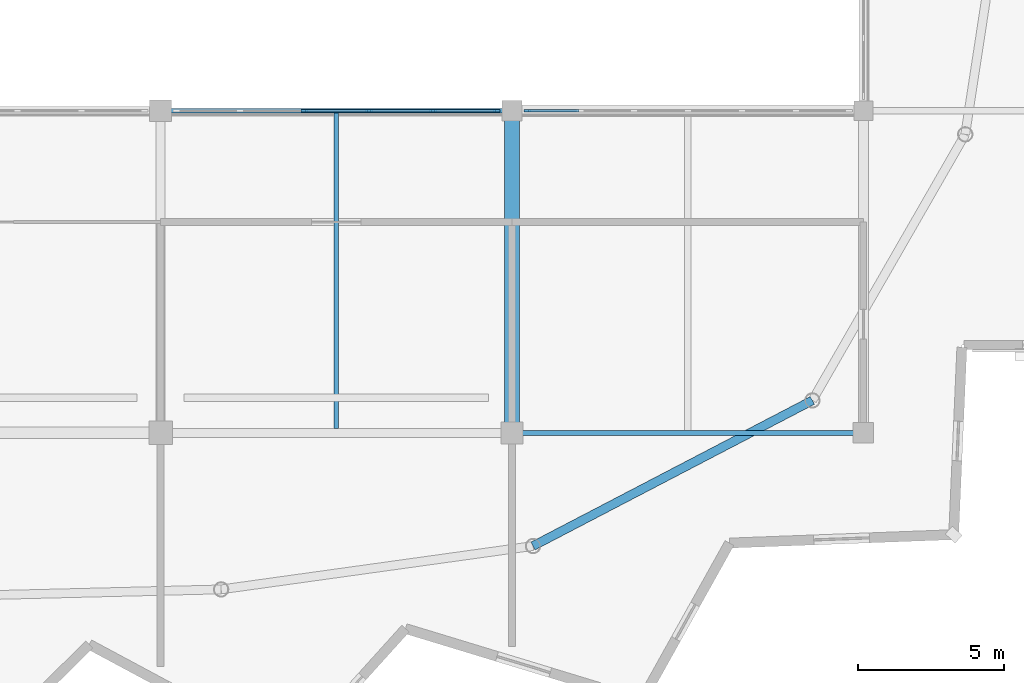
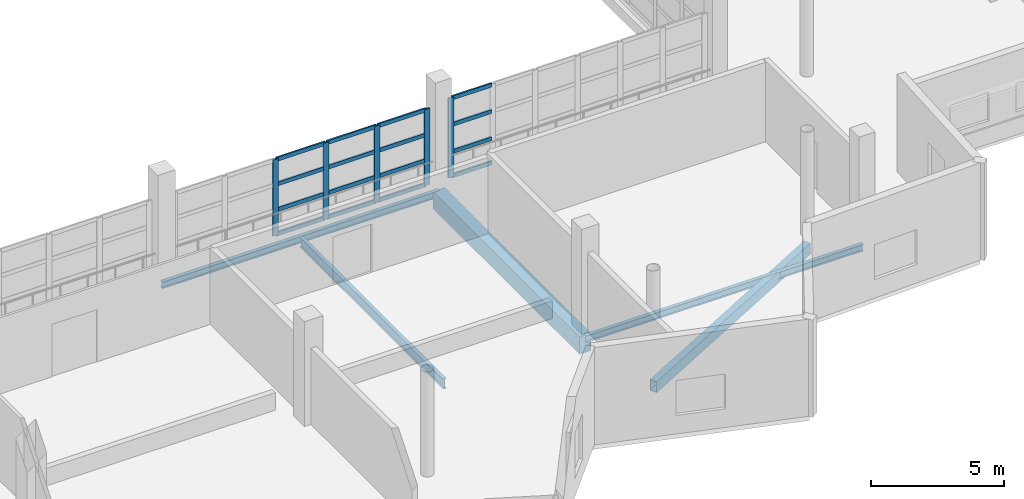
# One storey, part 17 of 53: 21 members, 5 beams, 2 elements without a shape of their own.
"""IFC4 building model written with IfcOpenShell, lengths in metres."""

from ifc_helpers import new_model, si_unit, direction, frame, origin, origin_2d, place, context, subcontext, project, spatial, rectangle, hollow_rectangle, i_section, extrude, material, material_profile, profile_set, type_object, element, aggregate, save


model = new_model("IFC4")

# Units and contexts
model_context = context("Model", 3, precision=1e-05, world=origin(), true_north=direction((0.0, 1.0)))
body_context = subcontext(model_context, "Body", "Model", "MODEL_VIEW")
ifc_project = project(units=[si_unit("LENGTHUNIT", "METRE"), si_unit("AREAUNIT", "SQUARE_METRE"), si_unit("VOLUMEUNIT", "CUBIC_METRE"), si_unit("PLANEANGLEUNIT", "RADIAN"), si_unit("MASSUNIT", "GRAM", prefix="KILO")], contexts=[model_context])

# Site, building, storey
site_placement = place(None, origin())
site = spatial("IfcSite", under=ifc_project, at=site_placement, CompositionType="ELEMENT")
building_placement = place(site_placement, origin())
building = spatial("IfcBuilding", under=site, at=building_placement, Name="Luwafu Chhajja Arena", CompositionType="ELEMENT")
storey_placement = place(building_placement, frame((0.0, 0.0, 19.5)))
storey = spatial("IfcBuildingStorey", under=building, at=storey_placement, Name="L04", CompositionType="ELEMENT", Elevation=19.5)

# Curtain wall, members
ifc_material_1 = material(Name="Anodised bronze aluminium", Category="aluminium")
curtain_wall_type = type_object("IfcCurtainWallType", Name="Media Ribbon Curtain Wall", PredefinedType="USERDEFINED", material=ifc_material_1)
curtain_wall_1_placement = place(storey_placement, origin())
curtain_wall_1 = element("IfcCurtainWall", 1, at=curtain_wall_1_placement, inside=storey, type_object=curtain_wall_type, Name="L04 Bowl Viewing Curtain Wall CWR-L04-06", ObjectType="CURTAIN WALL", PredefinedType="USERDEFINED")
ifc_material_profile_1 = material_profile(ifc_material_1, rectangle(XDim=0.070068359375, YDim=0.239990234375, at=origin_2d()), Name="CWM 70x240")
ifc_profile_set_1 = profile_set([ifc_material_profile_1], Name="Anodised bronze aluminium")
member_type_1 = type_object("IfcMemberType", Name="Bronze Curtain Wall Mullion 70x240", PredefinedType="MULLION", material=ifc_profile_set_1)
member_1_placement = place(storey_placement, frame((120.9130859375, 22.0, 0.0), z_axis=(0.0, 0.0, 1.0), x_axis=(0.0, 1.0, 0.0)))
member_1 = element("IfcMember", 2, at=member_1_placement, type_object=member_type_1, Name="CW-03 mullion 3", PredefinedType="MULLION", context=body_context, shape_type="SweptSolid", body=[
    extrude(rectangle(XDim=0.070068359375, YDim=0.239990234375, at=origin_2d()), origin(), (0.0, 0.0, 1.0), 3.489990234375),
])
member_2_placement = place(storey_placement, frame((123.112060546875, 22.0, 0.0), z_axis=(0.0, 0.0, 1.0), x_axis=(0.0, 1.0, 0.0)))
member_2 = element("IfcMember", 3, at=member_2_placement, type_object=member_type_1, Name="CW-03 mullion 4", PredefinedType="MULLION", context=body_context, shape_type="SweptSolid", body=[
    extrude(rectangle(XDim=0.070068359375, YDim=0.239990234375, at=origin_2d()), origin(), (0.0, 0.0, 1.0), 3.489990234375),
])
member_3_placement = place(storey_placement, frame((125.31103515625, 22.0, 0.0), z_axis=(0.0, 0.0, 1.0), x_axis=(0.0, 1.0, 0.0)))
member_3 = element("IfcMember", 4, at=member_3_placement, type_object=member_type_1, Name="CW-03 mullion 5", PredefinedType="MULLION", context=body_context, shape_type="SweptSolid", body=[
    extrude(rectangle(XDim=0.070068359375, YDim=0.239990234375, at=origin_2d()), origin(), (0.0, 0.0, 1.0), 3.489990234375),
])
member_4_placement = place(storey_placement, frame((127.47509765625, 22.0, 0.0), z_axis=(0.0, 0.0, 1.0), x_axis=(0.0, 1.0, 0.0)))
member_4 = element("IfcMember", 5, at=member_4_placement, type_object=member_type_1, Name="CW-03 mullion 6", PredefinedType="MULLION", context=body_context, shape_type="SweptSolid", body=[
    extrude(rectangle(XDim=0.070068359375, YDim=0.239990234375, at=origin_2d()), origin(), (0.0, 0.0, 1.0), 3.489990234375),
])

# Curtain wall, member
curtain_wall_2_placement = place(storey_placement, origin())
curtain_wall_2 = element("IfcCurtainWall", 6, at=curtain_wall_2_placement, inside=storey, type_object=curtain_wall_type, Name="L04 Bowl Viewing Curtain Wall CWR-L04-07", ObjectType="CURTAIN WALL", PredefinedType="USERDEFINED")
member_5_placement = place(storey_placement, frame((128.52490234375, 22.0, 0.0), z_axis=(0.0, 0.0, 1.0), x_axis=(0.0, 1.0, 0.0)))
member_5 = element("IfcMember", 7, at=member_5_placement, type_object=member_type_1, Name="CW-03 mullion 1", PredefinedType="MULLION", context=body_context, shape_type="SweptSolid", body=[
    extrude(rectangle(XDim=0.070068359375, YDim=0.239990234375, at=origin_2d()), origin(), (0.0, 0.0, 1.0), 3.639892578125),
])

# Member
ifc_material_profile_2 = material_profile(ifc_material_1, rectangle(XDim=0.070068359375, YDim=0.179931640625, at=origin_2d()), Name="CWT 70x180")
ifc_profile_set_2 = profile_set([ifc_material_profile_2], Name="Anodised bronze aluminium")
member_type_2 = type_object("IfcMemberType", Name="Bronze Curtain Wall Transom 70x180", PredefinedType="USERDEFINED", material=ifc_profile_set_2)
member_6_placement = place(storey_placement, frame((120.947998046875, 22.0, 0.034912109375), z_axis=(1.0, 0.0, 0.0), x_axis=(0.0, 1.0, 0.0)))
member_6 = element("IfcMember", 8, at=member_6_placement, type_object=member_type_2, Name="CW-03 transom 3.1", ObjectType="TRANSOM", PredefinedType="USERDEFINED", context=body_context, shape_type="SweptSolid", body=[
    extrude(rectangle(XDim=0.070068359375, YDim=0.179931640625, at=origin_2d()), origin(), (0.0, 0.0, 1.0), 2.12890625),
])

member_7_placement = place(storey_placement, frame((120.947998046875, 22.0, 1.14990234375), z_axis=(1.0, 0.0, 0.0), x_axis=(0.0, 1.0, 0.0)))
member_7 = element("IfcMember", 9, at=member_7_placement, type_object=member_type_2, Name="CW-03 transom 3.2", ObjectType="TRANSOM", PredefinedType="USERDEFINED", context=body_context, shape_type="SweptSolid", body=[
    extrude(rectangle(XDim=0.070068359375, YDim=0.179931640625, at=origin_2d()), origin(), (0.0, 0.0, 1.0), 2.12890625),
])

member_8_placement = place(storey_placement, frame((120.947998046875, 22.0, 2.320068359375), z_axis=(1.0, 0.0, 0.0), x_axis=(0.0, 1.0, 0.0)))
member_8 = element("IfcMember", 10, at=member_8_placement, type_object=member_type_2, Name="CW-03 transom 3.3", ObjectType="TRANSOM", PredefinedType="USERDEFINED", context=body_context, shape_type="SweptSolid", body=[
    extrude(rectangle(XDim=0.070068359375, YDim=0.179931640625, at=origin_2d()), origin(), (0.0, 0.0, 1.0), 2.12890625),
])

member_9_placement = place(storey_placement, frame((120.947998046875, 22.0, 3.455078125), z_axis=(1.0, 0.0, 0.0), x_axis=(0.0, 1.0, 0.0)))
member_9 = element("IfcMember", 11, at=member_9_placement, type_object=member_type_2, Name="CW-03 transom 3.4", ObjectType="TRANSOM", PredefinedType="USERDEFINED", context=body_context, shape_type="SweptSolid", body=[
    extrude(rectangle(XDim=0.070068359375, YDim=0.179931640625, at=origin_2d()), origin(), (0.0, 0.0, 1.0), 2.12890625),
])

member_10_placement = place(storey_placement, frame((123.14697265625, 22.0, 0.034912109375), z_axis=(1.0, 0.0, 0.0), x_axis=(0.0, 1.0, 0.0)))
member_10 = element("IfcMember", 12, at=member_10_placement, type_object=member_type_2, Name="CW-03 transom 4.1", ObjectType="TRANSOM", PredefinedType="USERDEFINED", context=body_context, shape_type="SweptSolid", body=[
    extrude(rectangle(XDim=0.070068359375, YDim=0.179931640625, at=origin_2d()), origin(), (0.0, 0.0, 1.0), 2.12890625),
])

member_11_placement = place(storey_placement, frame((123.14697265625, 22.0, 1.14990234375), z_axis=(1.0, 0.0, 0.0), x_axis=(0.0, 1.0, 0.0)))
member_11 = element("IfcMember", 13, at=member_11_placement, type_object=member_type_2, Name="CW-03 transom 4.2", ObjectType="TRANSOM", PredefinedType="USERDEFINED", context=body_context, shape_type="SweptSolid", body=[
    extrude(rectangle(XDim=0.070068359375, YDim=0.179931640625, at=origin_2d()), origin(), (0.0, 0.0, 1.0), 2.12890625),
])

member_12_placement = place(storey_placement, frame((123.14697265625, 22.0, 2.320068359375), z_axis=(1.0, 0.0, 0.0), x_axis=(0.0, 1.0, 0.0)))
member_12 = element("IfcMember", 14, at=member_12_placement, type_object=member_type_2, Name="CW-03 transom 4.3", ObjectType="TRANSOM", PredefinedType="USERDEFINED", context=body_context, shape_type="SweptSolid", body=[
    extrude(rectangle(XDim=0.070068359375, YDim=0.179931640625, at=origin_2d()), origin(), (0.0, 0.0, 1.0), 2.12890625),
])

member_13_placement = place(storey_placement, frame((123.14697265625, 22.0, 3.455078125), z_axis=(1.0, 0.0, 0.0), x_axis=(0.0, 1.0, 0.0)))
member_13 = element("IfcMember", 15, at=member_13_placement, type_object=member_type_2, Name="CW-03 transom 4.4", ObjectType="TRANSOM", PredefinedType="USERDEFINED", context=body_context, shape_type="SweptSolid", body=[
    extrude(rectangle(XDim=0.070068359375, YDim=0.179931640625, at=origin_2d()), origin(), (0.0, 0.0, 1.0), 2.12890625),
])

member_14_placement = place(storey_placement, frame((125.345947265625, 22.0, 0.034912109375), z_axis=(1.0, 0.0, 0.0), x_axis=(0.0, 1.0, 0.0)))
member_14 = element("IfcMember", 16, at=member_14_placement, type_object=member_type_2, Name="CW-03 transom 5.1", ObjectType="TRANSOM", PredefinedType="USERDEFINED", context=body_context, shape_type="SweptSolid", body=[
    extrude(rectangle(XDim=0.070068359375, YDim=0.179931640625, at=origin_2d()), origin(), (0.0, 0.0, 1.0), 2.093994140625),
])

member_15_placement = place(storey_placement, frame((125.345947265625, 22.0, 1.14990234375), z_axis=(1.0, 0.0, 0.0), x_axis=(0.0, 1.0, 0.0)))
member_15 = element("IfcMember", 17, at=member_15_placement, type_object=member_type_2, Name="CW-03 transom 5.2", ObjectType="TRANSOM", PredefinedType="USERDEFINED", context=body_context, shape_type="SweptSolid", body=[
    extrude(rectangle(XDim=0.070068359375, YDim=0.179931640625, at=origin_2d()), origin(), (0.0, 0.0, 1.0), 2.093994140625),
])

member_16_placement = place(storey_placement, frame((125.345947265625, 22.0, 2.320068359375), z_axis=(1.0, 0.0, 0.0), x_axis=(0.0, 1.0, 0.0)))
member_16 = element("IfcMember", 18, at=member_16_placement, type_object=member_type_2, Name="CW-03 transom 5.3", ObjectType="TRANSOM", PredefinedType="USERDEFINED", context=body_context, shape_type="SweptSolid", body=[
    extrude(rectangle(XDim=0.070068359375, YDim=0.179931640625, at=origin_2d()), origin(), (0.0, 0.0, 1.0), 2.093994140625),
])

member_17_placement = place(storey_placement, frame((125.345947265625, 22.0, 3.455078125), z_axis=(1.0, 0.0, 0.0), x_axis=(0.0, 1.0, 0.0)))
member_17 = element("IfcMember", 19, at=member_17_placement, type_object=member_type_2, Name="CW-03 transom 5.4", ObjectType="TRANSOM", PredefinedType="USERDEFINED", context=body_context, shape_type="SweptSolid", body=[
    extrude(rectangle(XDim=0.070068359375, YDim=0.179931640625, at=origin_2d()), origin(), (0.0, 0.0, 1.0), 2.093994140625),
])

aggregate(curtain_wall_1, [member_1, member_2, member_3, member_4, member_6, member_7, member_8, member_9, member_10, member_11, member_12, member_13, member_14, member_15, member_16, member_17])

member_18_placement = place(storey_placement, frame((128.56005859375, 22.0, 0.034912109375), z_axis=(1.0, 0.0, 0.0), x_axis=(0.0, 1.0, 0.0)))
member_18 = element("IfcMember", 20, at=member_18_placement, type_object=member_type_2, Name="CW-03 transom 1.1", ObjectType="TRANSOM", PredefinedType="USERDEFINED", context=body_context, shape_type="SweptSolid", body=[
    extrude(rectangle(XDim=0.070068359375, YDim=0.179931640625, at=origin_2d()), origin(), (0.0, 0.0, 1.0), 1.73583984375),
])

member_19_placement = place(storey_placement, frame((128.56005859375, 22.0, 1.14990234375), z_axis=(1.0, 0.0, 0.0), x_axis=(0.0, 1.0, 0.0)))
member_19 = element("IfcMember", 21, at=member_19_placement, type_object=member_type_2, Name="CW-03 transom 1.2", ObjectType="TRANSOM", PredefinedType="USERDEFINED", context=body_context, shape_type="SweptSolid", body=[
    extrude(rectangle(XDim=0.070068359375, YDim=0.179931640625, at=origin_2d()), origin(), (0.0, 0.0, 1.0), 1.73583984375),
])

member_20_placement = place(storey_placement, frame((128.56005859375, 22.0, 2.39501953125), z_axis=(1.0, 0.0, 0.0), x_axis=(0.0, 1.0, 0.0)))
member_20 = element("IfcMember", 22, at=member_20_placement, type_object=member_type_2, Name="CW-03 transom 1.3", ObjectType="TRANSOM", PredefinedType="USERDEFINED", context=body_context, shape_type="SweptSolid", body=[
    extrude(rectangle(XDim=0.070068359375, YDim=0.179931640625, at=origin_2d()), origin(), (0.0, 0.0, 1.0), 1.73583984375),
])

member_21_placement = place(storey_placement, frame((128.56005859375, 22.0, 3.60498046875), z_axis=(1.0, 0.0, 0.0), x_axis=(0.0, 1.0, 0.0)))
member_21 = element("IfcMember", 23, at=member_21_placement, type_object=member_type_2, Name="CW-03 transom 1.4", ObjectType="TRANSOM", PredefinedType="USERDEFINED", context=body_context, shape_type="SweptSolid", body=[
    extrude(rectangle(XDim=0.070068359375, YDim=0.179931640625, at=origin_2d()), origin(), (0.0, 0.0, 1.0), 1.73583984375),
])

aggregate(curtain_wall_2, [member_5, member_18, member_19, member_20, member_21])

# Beams
ifc_material_2 = material(Name="Steel S355", Category="steel")
ifc_material_profile_3 = material_profile(ifc_material_2, i_section(OverallWidth=0.165771484375, OverallDepth=0.306640625, WebThickness=0.006591796875, FlangeThickness=0.01171875, at=origin_2d()), Name="UB 305x165x46")
ifc_profile_set_3 = profile_set([ifc_material_profile_3], Name="Steel S355")
beam_type_1 = type_object("IfcBeamType", Name="Concourse Edge Spandrel Beam UB 305x165x46", PredefinedType="SPANDREL", material=ifc_profile_set_3)
for number, where, z_axis, x_axis, name in (
    (24, (116.0, 22.0, -0.543212890625), (1.0, 0.0, 0.0), (0.0, 1.0, 0.0), "L04 Grid Beam 11-12/C"),
    (25, (128.0, 11.0, -0.543212890625), (1.0, 0.0, 0.0), (0.0, 1.0, 0.0), "L04 Grid Beam 12-13/B"),
):
    element("IfcBeam", number, at=place(storey_placement, frame(where, z_axis=z_axis, x_axis=x_axis)), inside=storey, type_object=beam_type_1, Name=name, PredefinedType="SPANDREL", context=body_context, shape_type="SweptSolid", body=[
        extrude(i_section(OverallWidth=0.165771484375, OverallDepth=0.306640625, WebThickness=0.006591796875, FlangeThickness=0.01171875, at=origin_2d()), origin(), (0.0, 0.0, 1.0), 12.0),
    ])
ifc_material_profile_4 = material_profile(ifc_material_2, i_section(OverallWidth=0.15283203125, OverallDepth=0.45458984375, WebThickness=0.008056640625, FlangeThickness=0.01318359375, at=origin_2d()), Name="UB 457x152x60")
ifc_profile_set_4 = profile_set([ifc_material_profile_4], Name="Steel S355")
beam_type_2 = type_object("IfcBeamType", Name="Floor Joist UB 457x152x60", PredefinedType="JOIST", material=ifc_profile_set_4)
beam_1_placement = place(storey_placement, frame((122.0, 11.14990234375, -0.6171875), z_axis=(0.0, 1.0, 0.0), x_axis=(-1.0, 0.0, 0.0)))
element("IfcBeam", 26, at=beam_1_placement, inside=storey, type_object=beam_type_2, Name="L04 Secondary Joist 11-12/B", PredefinedType="JOIST", context=body_context, shape_type="SweptSolid", body=[
    extrude(i_section(OverallWidth=0.15283203125, OverallDepth=0.45458984375, WebThickness=0.008056640625, FlangeThickness=0.01318359375, at=origin_2d()), origin(), (0.0, 0.0, 1.0), 10.76708984375),
])
ifc_material_3 = material(Name="Concrete C35/45", Category="concrete")
ifc_material_profile_5 = material_profile(ifc_material_3, rectangle(XDim=0.5, YDim=0.800048828125, at=origin_2d()), Name="RC 500x800")
ifc_profile_set_5 = profile_set([ifc_material_profile_5], Name="Concrete C35/45")
beam_type_3 = type_object("IfcBeamType", Name="Hospitality Primary Beam RC 500x800", PredefinedType="BEAM", material=ifc_profile_set_5)
beam_2_placement = place(storey_placement, frame((128.0, 11.0, -0.7900390625), z_axis=(0.0, 1.0, 0.0), x_axis=(-1.0, 0.0, 0.0)))
element("IfcBeam", 27, at=beam_2_placement, inside=storey, type_object=beam_type_3, Name="L04 Grid Beam 12/B-C", PredefinedType="BEAM", context=body_context, shape_type="SweptSolid", body=[
    extrude(rectangle(XDim=0.5, YDim=0.800048828125, at=origin_2d()), origin(), (0.0, 0.0, 1.0), 11.0),
])
ifc_material_profile_6 = material_profile(ifc_material_2, hollow_rectangle(XDim=0.300048828125, YDim=0.5, WallThickness=0.02001953125, at=origin_2d()), Name="RHS 500x300x20")
ifc_profile_set_6 = profile_set([ifc_material_profile_6], Name="Steel S355")
beam_type_4 = type_object("IfcBeamType", Name="Pleated Drum Spandrel Beam RHS 500x300", PredefinedType="SPANDREL", material=ifc_profile_set_6)
beam_3_placement = place(storey_placement, frame((128.718017578125, 7.13720703125, -0.639892578125), z_axis=(0.886755170812, 0.462239404463, 0.0), x_axis=(-0.462239404463, 0.886755170812, 0.0)))
element("IfcBeam", 28, at=beam_3_placement, inside=storey, type_object=beam_type_4, Name="L04 Drum Ring Spandrel D28-D29", PredefinedType="SPANDREL", context=body_context, shape_type="SweptSolid", body=[
    extrude(hollow_rectangle(XDim=0.300048828125, YDim=0.5, WallThickness=0.02001953125, at=origin_2d()), origin(), (0.0, 0.0, 1.0), 10.756103515625),
])

save(model, "model.ifc")
